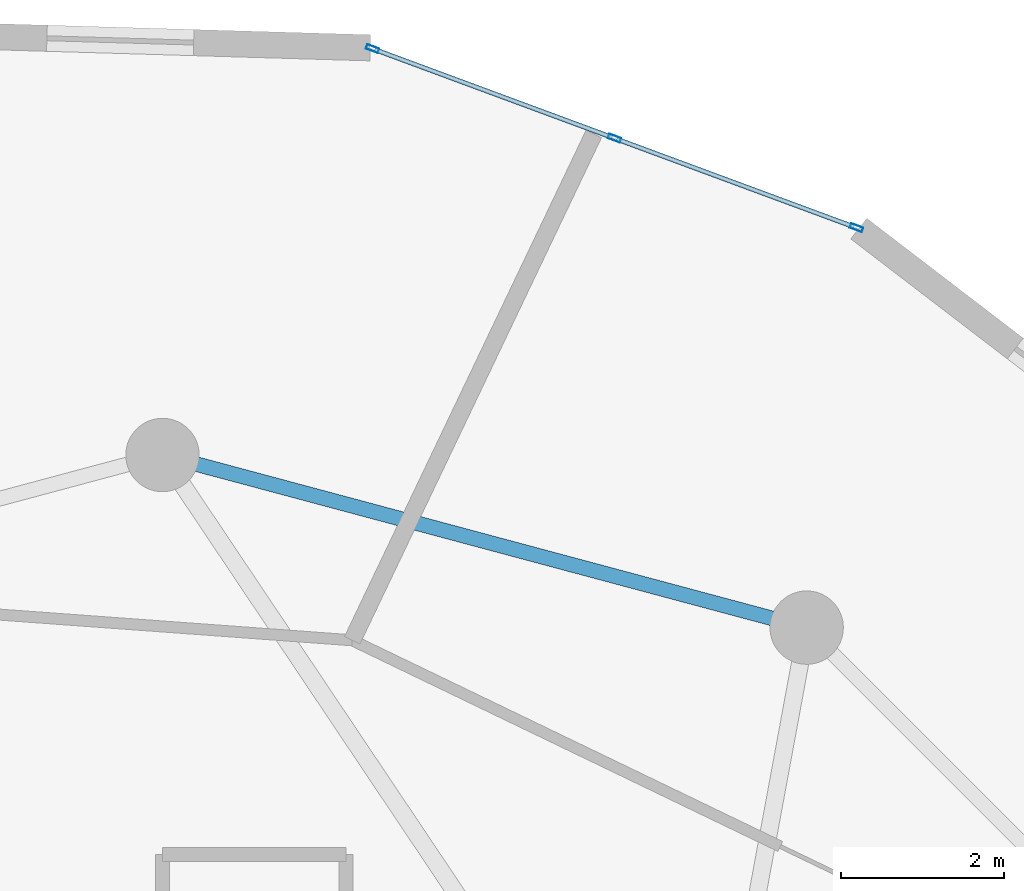
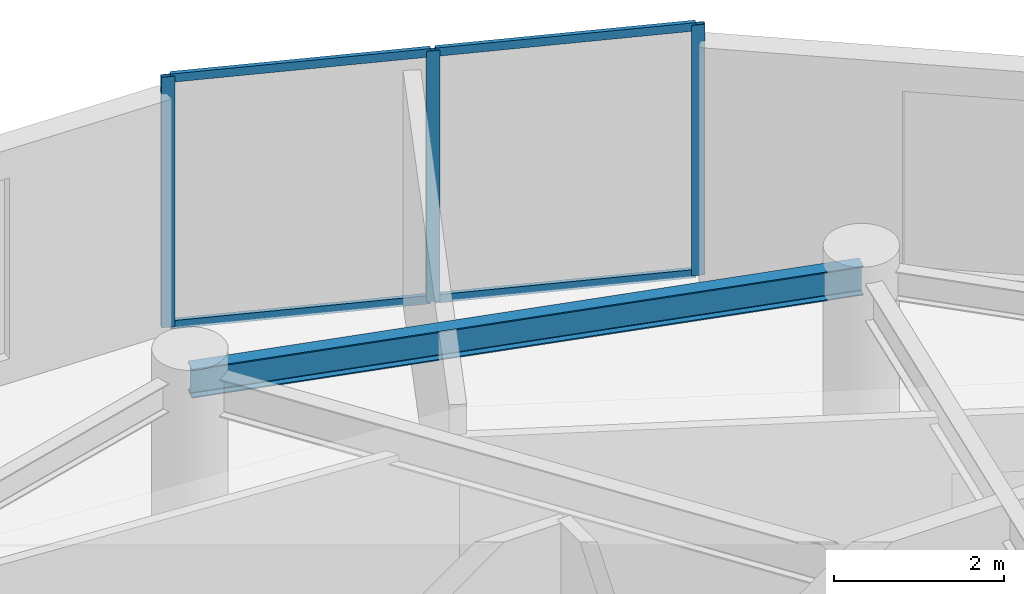
# One storey, part 14 of 20: 7 members, 1 beam, 1 element without a shape of its own.
"""IFC4 building model written with IfcOpenShell, lengths in metres."""

from ifc_helpers import new_model, si_unit, direction, frame, origin, origin_2d, place, context, subcontext, project, spatial, hollow_rectangle, i_section, extrude, source, transform, mapped, material, layer, layer_set, material_profile, profile_set, type_object, element, aggregate, save


model = new_model("IFC4")

# Units and contexts
model_context = context("Model", 3, precision=1e-05, world=origin(), true_north=direction((0.0, 1.0)))
body_context = subcontext(model_context, "Body", "Model", "MODEL_VIEW")
ifc_project = project(units=[si_unit("LENGTHUNIT", "METRE"), si_unit("AREAUNIT", "SQUARE_METRE"), si_unit("VOLUMEUNIT", "CUBIC_METRE"), si_unit("PLANEANGLEUNIT", "RADIAN"), si_unit("MASSUNIT", "GRAM", prefix="KILO")], contexts=[model_context])

# Site, building, storey
site_placement = place(None, origin())
site = spatial("IfcSite", under=ifc_project, at=site_placement, CompositionType="ELEMENT")
building_placement = place(site_placement, origin())
building = spatial("IfcBuilding", under=site, at=building_placement, Name="Solvirekh Grand Hotel", CompositionType="ELEMENT")
storey_placement = place(building_placement, frame((0.0, 0.0, 194.800048828125)))
storey = spatial("IfcBuildingStorey", under=building, at=storey_placement, Name="L50", CompositionType="ELEMENT", Elevation=194.800048828125)

# Beam
ifc_material_1 = material(Name="Steel S355", Category="steel")
ifc_material_profile_1 = material_profile(ifc_material_1, i_section(OverallWidth=0.180908203125, OverallDepth=0.4169921875, WebThickness=0.010009765625, FlangeThickness=0.01611328125, FilletRadius=0.011962890625, at=origin_2d()), Name="W410X85")
ifc_profile_set_1 = profile_set([ifc_material_profile_1], Name="Steel S355")
beam_type = type_object("IfcBeamType", Name="Spandrel_Ring_W410", PredefinedType="SPANDREL", material=ifc_profile_set_1)
beam_placement = place(storey_placement, frame((7.89990234375, 13.68310546875, 3.15185546875), z_axis=(-0.965920601923, 0.258838541915, 0.0), x_axis=(-0.258838541915, -0.965920601923, 0.0)))
element("IfcBeam", 1, at=beam_placement, inside=storey, type_object=beam_type, Name="L50 perimeter spandrel beam 3", PredefinedType="SPANDREL", context=body_context, shape_type="SweptSolid", body=[
    extrude(i_section(OverallWidth=0.180908203125, OverallDepth=0.4169921875, WebThickness=0.010009765625, FlangeThickness=0.01611328125, FilletRadius=0.011962890625, at=origin_2d()), origin(), (0.0, 0.0, 1.0), 8.1787109375),
])

# Curtain wall, members
ifc_material_2 = material(Name="Anodized Bronze Aluminium 6063-T6", Category="aluminium")
ifc_layer = layer(ifc_material_2, 0.159912109375)
ifc_layer_set = layer_set([ifc_layer], Name="Anodized Bronze Aluminium 6063-T6")
curtain_wall_type = type_object("IfcCurtainWallType", Name="CW_Sys4_HighZoneFlushBronzeCW", PredefinedType="NOTDEFINED", material=ifc_layer_set)
curtain_wall_placement = place(storey_placement, origin())
curtain_wall = element("IfcCurtainWall", 2, at=curtain_wall_placement, inside=storey, type_object=curtain_wall_type, Name="L50 unitised bronze-glass curtain wall CW-L50-C08", PredefinedType="NOTDEFINED")
ifc_material_profile_2 = material_profile(ifc_material_2, hollow_rectangle(XDim=0.054931640625, YDim=0.1201171875, WallThickness=0.00390625, at=origin_2d()), Name="ALU RHS 120X55X4")
ifc_profile_set_2 = profile_set([ifc_material_profile_2], Name="Anodized Bronze Aluminium 6063-T6")
member_type_1 = type_object("IfcMemberType", Name="CWTransom_Sys4", PredefinedType="USERDEFINED", material=ifc_profile_set_2)
shared_shape_1 = source(origin(), body_context, "Body", "SweptSolid", [
    extrude(hollow_rectangle(XDim=0.054931640625, YDim=0.1201171875, WallThickness=0.00390625, at=origin_2d()), origin(), (0.0, 0.0, 1.0), 3.1044921875),
])
member_1_placement = place(storey_placement, frame((8.482666015625, 18.597900390625, 0.02734375), z_axis=(-0.937877709714, 0.346965994907, 0.0), x_axis=(-0.346965994907, -0.937877709714, 0.0)))
member_1 = element("IfcMember", 3, at=member_1_placement, type_object=member_type_1, Name="U04 transom 1.1", ObjectType="TRANSOM", PredefinedType="USERDEFINED", context=body_context, shape_type="MappedRepresentation", body=[
    mapped(shared_shape_1, transform((0.0, 0.0, 0.0), x_axis=(1.0, 0.0, 0.0), y_axis=(0.0, 1.0, 0.0), z_axis=(0.0, 0.0, 1.0), scale=1.0)),
])
member_2_placement = place(storey_placement, frame((8.482666015625, 18.597900390625, 3.572509765625), z_axis=(-0.937877709714, 0.346965994907, 0.0), x_axis=(-0.346965994907, -0.937877709714, 0.0)))
member_2 = element("IfcMember", 4, at=member_2_placement, type_object=member_type_1, Name="U04 transom 1.2", ObjectType="TRANSOM", PredefinedType="USERDEFINED", context=body_context, shape_type="MappedRepresentation", body=[
    mapped(shared_shape_1, transform((0.0, 0.0, 0.0), x_axis=(1.0, 0.0, 0.0), y_axis=(0.0, 1.0, 0.0), z_axis=(0.0, 0.0, 1.0), scale=1.0)),
])
member_3_placement = place(storey_placement, frame((5.514892578125, 19.69580078125, 0.02734375), z_axis=(-0.937852117022, 0.347035166226, 0.0), x_axis=(-0.347035166226, -0.937852117022, 0.0)))
member_3 = element("IfcMember", 5, at=member_3_placement, type_object=member_type_1, Name="U04 transom 2.1", ObjectType="TRANSOM", PredefinedType="USERDEFINED", context=body_context, shape_type="MappedRepresentation", body=[
    mapped(shared_shape_1, transform((0.0, 0.0, 0.0), x_axis=(1.0, 0.0, 0.0), y_axis=(0.0, 1.0, 0.0), z_axis=(0.0, 0.0, 1.0), scale=1.0)),
])
member_4_placement = place(storey_placement, frame((5.514892578125, 19.69580078125, 3.572509765625), z_axis=(-0.937852117022, 0.347035166226, 0.0), x_axis=(-0.347035166226, -0.937852117022, 0.0)))
member_4 = element("IfcMember", 6, at=member_4_placement, type_object=member_type_1, Name="U04 transom 2.2", ObjectType="TRANSOM", PredefinedType="USERDEFINED", context=body_context, shape_type="MappedRepresentation", body=[
    mapped(shared_shape_1, transform((0.0, 0.0, 0.0), x_axis=(1.0, 0.0, 0.0), y_axis=(0.0, 1.0, 0.0), z_axis=(0.0, 0.0, 1.0), scale=1.0)),
])
ifc_material_profile_3 = material_profile(ifc_material_2, hollow_rectangle(XDim=0.06005859375, YDim=0.159912109375, WallThickness=0.0048828125, at=origin_2d()), Name="ALU RHS 160X60X5")
ifc_profile_set_3 = profile_set([ifc_material_profile_3], Name="Anodized Bronze Aluminium 6063-T6")
member_type_2 = type_object("IfcMemberType", Name="CWMullion_Sys4", PredefinedType="MULLION", material=ifc_profile_set_3)
shared_shape_2 = source(origin(), body_context, "Body", "SweptSolid", [
    extrude(hollow_rectangle(XDim=0.06005859375, YDim=0.159912109375, WallThickness=0.0048828125, at=origin_2d()), origin(), (0.0, 0.0, 1.0), 3.599853515625),
])
member_5_placement = place(storey_placement, frame((8.5107421875, 18.58740234375, 0.0), z_axis=(0.0, 0.0, 1.0), x_axis=(-0.347003374905, -0.937863880211, 0.0)))
member_5 = element("IfcMember", 7, at=member_5_placement, type_object=member_type_2, Name="U04 mullion 1", PredefinedType="MULLION", context=body_context, shape_type="MappedRepresentation", body=[
    mapped(shared_shape_2, transform((0.0, 0.0, 0.0), x_axis=(1.0, 0.0, 0.0), y_axis=(0.0, 1.0, 0.0), z_axis=(0.0, 0.0, 1.0), scale=1.0)),
])
member_6_placement = place(storey_placement, frame((5.54296875, 19.685546875, 0.0), z_axis=(0.0, 0.0, 1.0), x_axis=(-0.347003374905, -0.937863880211, 0.0)))
member_6 = element("IfcMember", 8, at=member_6_placement, type_object=member_type_2, Name="U04 mullion 2", PredefinedType="MULLION", context=body_context, shape_type="MappedRepresentation", body=[
    mapped(shared_shape_2, transform((0.0, 0.0, 0.0), x_axis=(1.0, 0.0, 0.0), y_axis=(0.0, 1.0, 0.0), z_axis=(0.0, 0.0, 1.0), scale=1.0)),
])
member_7_placement = place(storey_placement, frame((2.5751953125, 20.78369140625, 0.0), z_axis=(0.0, 0.0, 1.0), x_axis=(-0.347003374905, -0.937863880211, 0.0)))
member_7 = element("IfcMember", 9, at=member_7_placement, type_object=member_type_2, Name="U04 mullion 3", PredefinedType="MULLION", context=body_context, shape_type="MappedRepresentation", body=[
    mapped(shared_shape_2, transform((0.0, 0.0, 0.0), x_axis=(1.0, 0.0, 0.0), y_axis=(0.0, 1.0, 0.0), z_axis=(0.0, 0.0, 1.0), scale=1.0)),
])
aggregate(curtain_wall, [member_5, member_6, member_7, member_1, member_2, member_3, member_4])

save(model, "model.ifc")
